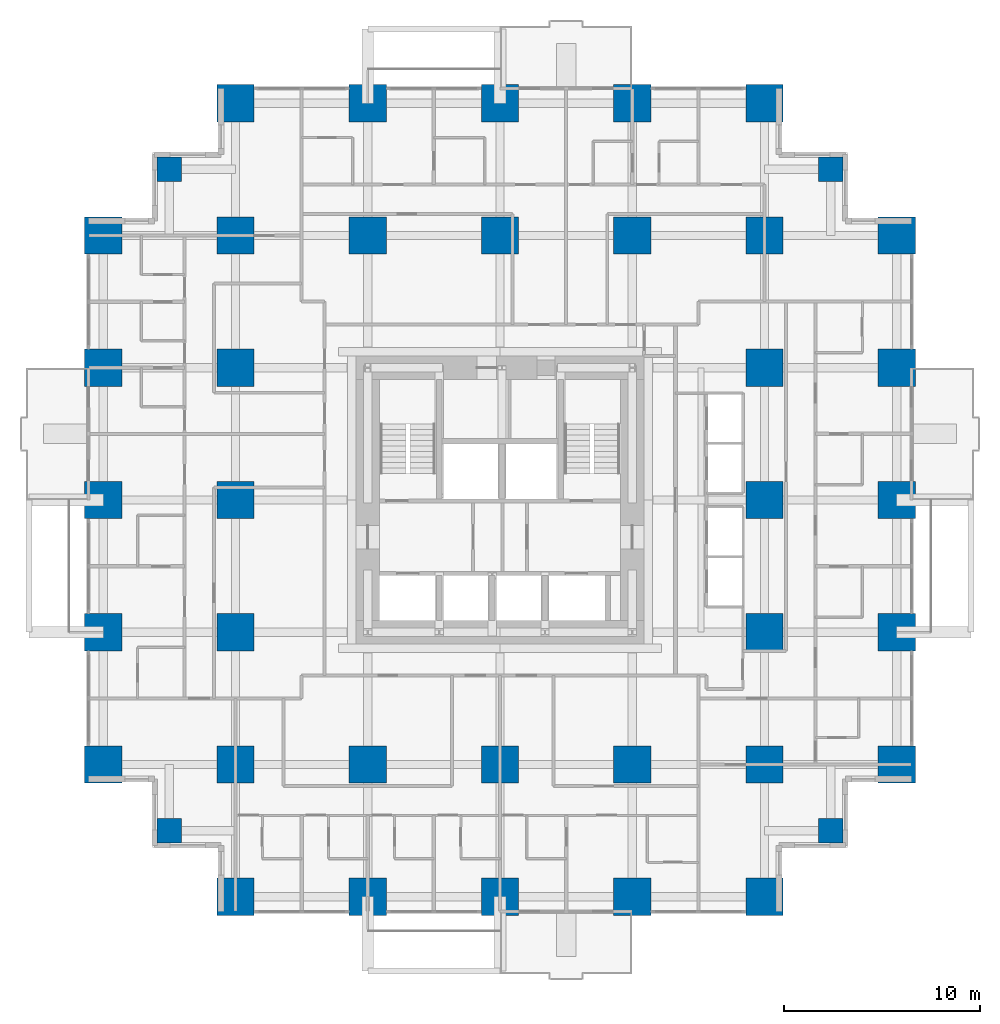
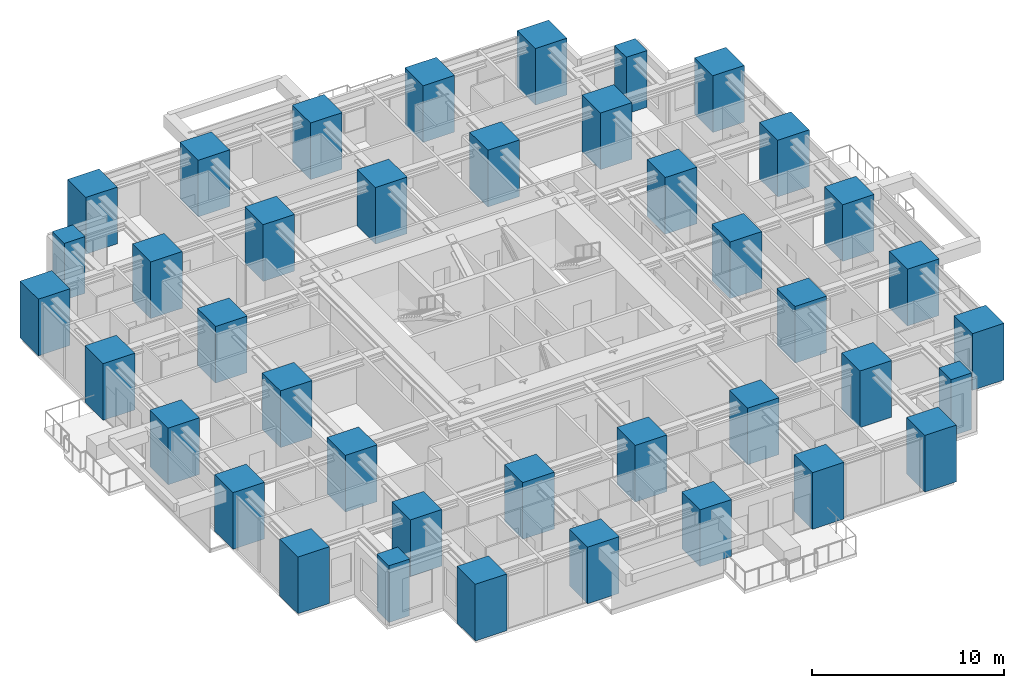
# One storey, part 1 of 14: 40 columns.
"""IFC4 building model written with IfcOpenShell, lengths in metres."""

from ifc_helpers import new_model, si_unit, direction, frame, origin, origin_2d, place, context, subcontext, project, spatial, rectangle, extrude, material, material_profile, profile_set, type_object, element, save


model = new_model("IFC4")

# Units and contexts
model_context = context("Model", 3, precision=1e-05, world=origin(), true_north=direction((0.0, 1.0)))
body_context = subcontext(model_context, "Body", "Model", "MODEL_VIEW")
ifc_project = project(units=[si_unit("LENGTHUNIT", "METRE"), si_unit("AREAUNIT", "SQUARE_METRE"), si_unit("VOLUMEUNIT", "CUBIC_METRE"), si_unit("PLANEANGLEUNIT", "RADIAN"), si_unit("MASSUNIT", "GRAM", prefix="KILO")], contexts=[model_context])

# Site, building, storey
site_placement = place(None, origin())
site = spatial("IfcSite", under=ifc_project, at=site_placement, CompositionType="ELEMENT")
building_placement = place(site_placement, origin())
building = spatial("IfcBuilding", under=site, at=building_placement, Name="Nyansa Garden Tower", CompositionType="ELEMENT")
storey_placement = place(building_placement, frame((0.0, 0.0, 21.60009765625)))
storey = spatial("IfcBuildingStorey", under=building, at=storey_placement, Name="L05", CompositionType="ELEMENT", Elevation=21.60009765625)

# Columns
ifc_material_1 = material(Name="Concrete C70/85", Category="concrete")
ifc_material_profile_1 = material_profile(ifc_material_1, rectangle(XDim=1.25, YDim=1.25, at=origin_2d()), Name="RC 1250x1250")
ifc_profile_set_1 = profile_set([ifc_material_profile_1], Name="Concrete C70/85")
column_type_1 = type_object("IfcColumnType", Name="Column C125 RC 1250x1250", PredefinedType="COLUMN", material=ifc_profile_set_1)
for number, where, z_axis, x_axis, name in (
    (1, (3.375, 3.375, 0.0), (0.0, 0.0, 1.0), (1.0, 0.0, 0.0), "Column x3.375/y3.375 L05"),
    (2, (3.375, 37.125, 0.0), (0.0, 0.0, 1.0), (1.0, 0.0, 0.0), "Column x3.375/y37.125 L05"),
    (3, (37.125, 3.375, 0.0), (0.0, 0.0, 1.0), (1.0, 0.0, 0.0), "Column x37.125/y3.375 L05"),
    (4, (37.125, 37.125, 0.0), (0.0, 0.0, 1.0), (1.0, 0.0, 0.0), "Column x37.125/y37.125 L05"),
):
    element("IfcColumn", number, at=place(storey_placement, frame(where, z_axis=z_axis, x_axis=x_axis)), inside=storey, type_object=column_type_1, Name=name, PredefinedType="COLUMN", context=body_context, shape_type="SweptSolid", body=[
        extrude(rectangle(XDim=1.25, YDim=1.25, at=origin_2d()), origin(), (0.0, 0.0, 1.0), 3.599853515625),
    ])
ifc_material_2 = material(Name="Concrete C80/95", Category="concrete")
ifc_material_profile_2 = material_profile(ifc_material_2, rectangle(XDim=1.89990234375, YDim=1.89990234375, at=origin_2d()), Name="RC 1900x1900")
ifc_profile_set_2 = profile_set([ifc_material_profile_2], Name="Concrete C80/95")
column_type_2 = type_object("IfcColumnType", Name="Column C190 RC 1900x1900", PredefinedType="COLUMN", material=ifc_profile_set_2)
for number, where, z_axis, x_axis, name in (
    (5, (0.0, 6.75, 0.0), (0.0, 0.0, 1.0), (1.0, 0.0, 0.0), "Column 2/E L05"),
    (6, (0.0, 13.5, 0.0), (0.0, 0.0, 1.0), (1.0, 0.0, 0.0), "Column 2/F L05"),
    (7, (0.0, 20.25, 0.0), (0.0, 0.0, 1.0), (1.0, 0.0, 0.0), "Column 2/G L05"),
    (8, (0.0, 27.0, 0.0), (0.0, 0.0, 1.0), (1.0, 0.0, 0.0), "Column 2/H L05"),
    (9, (0.0, 33.75, 0.0), (0.0, 0.0, 1.0), (1.0, 0.0, 0.0), "Column 2/J L05"),
    (10, (6.75, 0.0, 0.0), (0.0, 0.0, 1.0), (1.0, 0.0, 0.0), "Column 3/D L05"),
    (11, (6.75, 6.75, 0.0), (0.0, 0.0, 1.0), (1.0, 0.0, 0.0), "Column 3/E L05"),
    (12, (6.75, 13.5, 0.0), (0.0, 0.0, 1.0), (1.0, 0.0, 0.0), "Column 3/F L05"),
    (13, (6.75, 20.25, 0.0), (0.0, 0.0, 1.0), (1.0, 0.0, 0.0), "Column 3/G L05"),
    (14, (6.75, 27.0, 0.0), (0.0, 0.0, 1.0), (1.0, 0.0, 0.0), "Column 3/H L05"),
    (15, (6.75, 33.75, 0.0), (0.0, 0.0, 1.0), (1.0, 0.0, 0.0), "Column 3/J L05"),
    (16, (6.75, 40.5, 0.0), (0.0, 0.0, 1.0), (1.0, 0.0, 0.0), "Column 3/K L05"),
    (17, (13.5, 0.0, 0.0), (0.0, 0.0, 1.0), (1.0, 0.0, 0.0), "Column 4/D L05"),
    (18, (13.5, 6.75, 0.0), (0.0, 0.0, 1.0), (1.0, 0.0, 0.0), "Column 4/E L05"),
    (19, (13.5, 33.75, 0.0), (0.0, 0.0, 1.0), (1.0, 0.0, 0.0), "Column 4/J L05"),
    (20, (13.5, 40.5, 0.0), (0.0, 0.0, 1.0), (1.0, 0.0, 0.0), "Column 4/K L05"),
    (21, (20.25, 0.0, 0.0), (0.0, 0.0, 1.0), (1.0, 0.0, 0.0), "Column 5/D L05"),
    (22, (20.25, 6.75, 0.0), (0.0, 0.0, 1.0), (1.0, 0.0, 0.0), "Column 5/E L05"),
    (23, (20.25, 33.75, 0.0), (0.0, 0.0, 1.0), (1.0, 0.0, 0.0), "Column 5/J L05"),
    (24, (20.25, 40.5, 0.0), (0.0, 0.0, 1.0), (1.0, 0.0, 0.0), "Column 5/K L05"),
    (25, (27.0, 0.0, 0.0), (0.0, 0.0, 1.0), (1.0, 0.0, 0.0), "Column 6/D L05"),
    (26, (27.0, 6.75, 0.0), (0.0, 0.0, 1.0), (1.0, 0.0, 0.0), "Column 6/E L05"),
    (27, (27.0, 33.75, 0.0), (0.0, 0.0, 1.0), (1.0, 0.0, 0.0), "Column 6/J L05"),
    (28, (27.0, 40.5, 0.0), (0.0, 0.0, 1.0), (1.0, 0.0, 0.0), "Column 6/K L05"),
    (29, (33.75, 0.0, 0.0), (0.0, 0.0, 1.0), (1.0, 0.0, 0.0), "Column 7/D L05"),
    (30, (33.75, 6.75, 0.0), (0.0, 0.0, 1.0), (1.0, 0.0, 0.0), "Column 7/E L05"),
    (31, (33.75, 13.5, 0.0), (0.0, 0.0, 1.0), (1.0, 0.0, 0.0), "Column 7/F L05"),
    (32, (33.75, 20.25, 0.0), (0.0, 0.0, 1.0), (1.0, 0.0, 0.0), "Column 7/G L05"),
    (33, (33.75, 27.0, 0.0), (0.0, 0.0, 1.0), (1.0, 0.0, 0.0), "Column 7/H L05"),
    (34, (33.75, 33.75, 0.0), (0.0, 0.0, 1.0), (1.0, 0.0, 0.0), "Column 7/J L05"),
    (35, (33.75, 40.5, 0.0), (0.0, 0.0, 1.0), (1.0, 0.0, 0.0), "Column 7/K L05"),
    (36, (40.5, 6.75, 0.0), (0.0, 0.0, 1.0), (1.0, 0.0, 0.0), "Column 8/E L05"),
    (37, (40.5, 13.5, 0.0), (0.0, 0.0, 1.0), (1.0, 0.0, 0.0), "Column 8/F L05"),
    (38, (40.5, 20.25, 0.0), (0.0, 0.0, 1.0), (1.0, 0.0, 0.0), "Column 8/G L05"),
    (39, (40.5, 27.0, 0.0), (0.0, 0.0, 1.0), (1.0, 0.0, 0.0), "Column 8/H L05"),
    (40, (40.5, 33.75, 0.0), (0.0, 0.0, 1.0), (1.0, 0.0, 0.0), "Column 8/J L05"),
):
    element("IfcColumn", number, at=place(storey_placement, frame(where, z_axis=z_axis, x_axis=x_axis)), inside=storey, type_object=column_type_2, Name=name, PredefinedType="COLUMN", context=body_context, shape_type="SweptSolid", body=[
        extrude(rectangle(XDim=1.89990234375, YDim=1.89990234375, at=origin_2d()), origin(), (0.0, 0.0, 1.0), 3.599853515625),
    ])

save(model, "model.ifc")
